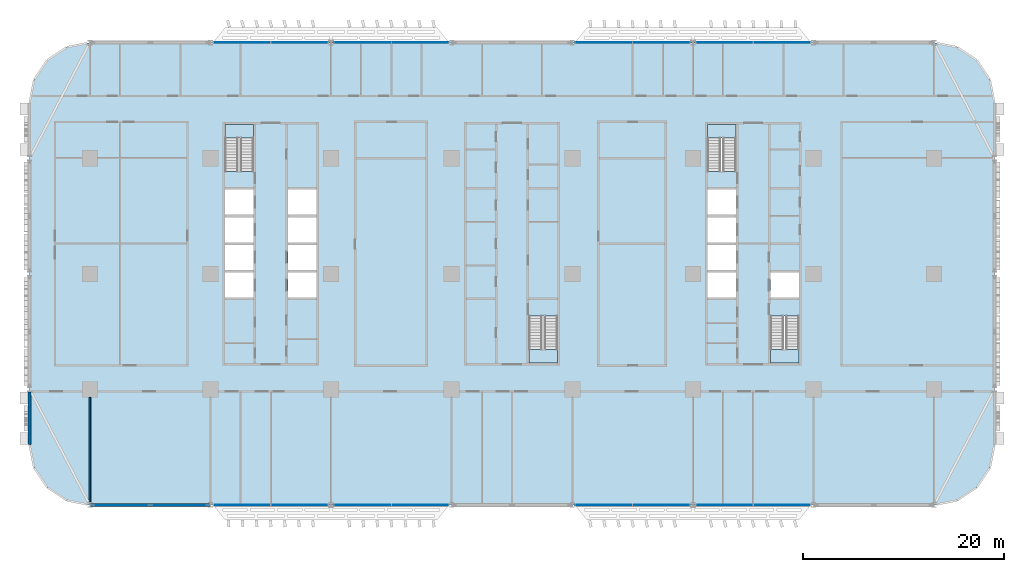
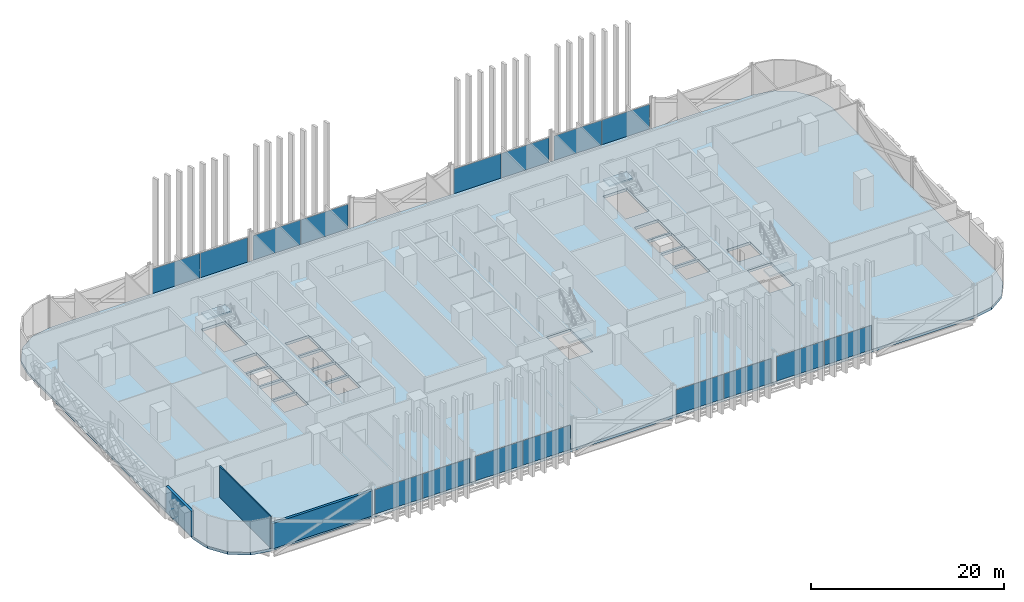
# One storey, part 9 of 29: 16 plates, 5 slabs, 3 walls, 12 elements without a shape of their own.
"""IFC4 building model written with IfcOpenShell, lengths in metres."""

from ifc_helpers import new_model, si_unit, direction, frame, frame_2d, origin, origin_2d, place, context, subcontext, project, spatial, polyline, rectangle, outline, extrude, material, layer, layer_set, type_object, element, aggregate, save


model = new_model("IFC4")

# Units and contexts
model_context = context("Model", 3, precision=1e-05, world=origin(), true_north=direction((0.0, 1.0)))
body_context = subcontext(model_context, "Body", "Model", "MODEL_VIEW")
ifc_project = project(units=[si_unit("LENGTHUNIT", "METRE"), si_unit("AREAUNIT", "SQUARE_METRE"), si_unit("VOLUMEUNIT", "CUBIC_METRE"), si_unit("PLANEANGLEUNIT", "RADIAN"), si_unit("MASSUNIT", "GRAM", prefix="KILO")], contexts=[model_context])

# Site, building, storey
site_placement = place(None, origin())
site = spatial("IfcSite", under=ifc_project, at=site_placement, CompositionType="ELEMENT")
building_placement = place(site_placement, origin())
building = spatial("IfcBuilding", under=site, at=building_placement, Name="Mahtab Terrace Research Tower", CompositionType="ELEMENT")
storey_placement = place(building_placement, frame((0.0, 0.0, 24.39990234375)))
storey = spatial("IfcBuildingStorey", under=building, at=storey_placement, Name="L05", CompositionType="ELEMENT", Elevation=24.39990234375)

# Stair, slab
ifc_material_1 = material(Name="Exit stair half-turn")
stair_type = type_object("IfcStairType", Name="Exit stair half-turn", PredefinedType="HALF_TURN_STAIR", material=ifc_material_1)
stair_1_placement = place(storey_placement, origin())
stair_1 = element("IfcStair", 1, at=stair_1_placement, inside=storey, type_object=stair_type, Name="L05 Protected exit stair ST1", PredefinedType="HALF_TURN_STAIR")
ifc_material_2 = material(Name="Concrete C40/50", Category="concrete")
ifc_layer_1 = layer(ifc_material_2, 0.199951171875)
ifc_layer_set_1 = layer_set([ifc_layer_1], Name="Exit stair landing 200")
slab_type_1 = type_object("IfcSlabType", Name="Exit stair landing 200", PredefinedType="LANDING", material=ifc_layer_set_1)
slab_1_placement = place(storey_placement, frame((0.0, 0.0, 1.9501953125)))
slab_1 = element("IfcSlab", 2, at=slab_1_placement, type_object=slab_type_1, Name="ST1 landing 1", PredefinedType="LANDING", context=body_context, shape_type="SweptSolid", body=[
    extrude(outline(polyline([(-25.699951171875, 13.534912109375), (-25.699951171875, 14.875), (-28.550048828125, 14.875), (-28.550048828125, 13.534912109375), (-25.699951171875, 13.534912109375)])), origin(), (0.0, 0.0, 1.0), 0.199951171875),
])
aggregate(stair_1, [slab_1])

stair_2_placement = place(storey_placement, origin())
stair_2 = element("IfcStair", 3, at=stair_2_placement, inside=storey, type_object=stair_type, Name="L05 Protected exit stair ST2", PredefinedType="HALF_TURN_STAIR")
slab_2_placement = place(storey_placement, frame((0.0, 0.0, 1.9501953125)))
slab_2 = element("IfcSlab", 4, at=slab_2_placement, type_object=slab_type_1, Name="ST2 landing 1", PredefinedType="LANDING", context=body_context, shape_type="SweptSolid", body=[
    extrude(outline(polyline([(1.699951171875, -7.534912109375), (1.699951171875, -8.875), (4.550048828125, -8.875), (4.550048828125, -7.534912109375), (1.699951171875, -7.534912109375)])), origin(), (0.0, 0.0, 1.0), 0.199951171875),
])
aggregate(stair_2, [slab_2])

stair_3_placement = place(storey_placement, origin())
stair_3 = element("IfcStair", 5, at=stair_3_placement, inside=storey, type_object=stair_type, Name="L05 Protected exit stair ST3", PredefinedType="HALF_TURN_STAIR")
slab_3_placement = place(storey_placement, frame((0.0, 0.0, 1.9501953125)))
slab_3 = element("IfcSlab", 6, at=slab_3_placement, type_object=slab_type_1, Name="ST3 landing 1", PredefinedType="LANDING", context=body_context, shape_type="SweptSolid", body=[
    extrude(outline(polyline([(22.300048828125, 13.534912109375), (22.300048828125, 14.875), (19.449951171875, 14.875), (19.449951171875, 13.534912109375), (22.300048828125, 13.534912109375)])), origin(), (0.0, 0.0, 1.0), 0.199951171875),
])
aggregate(stair_3, [slab_3])

stair_4_placement = place(storey_placement, origin())
stair_4 = element("IfcStair", 7, at=stair_4_placement, inside=storey, type_object=stair_type, Name="L05 Protected exit stair ST4", PredefinedType="HALF_TURN_STAIR")
slab_4_placement = place(storey_placement, frame((0.0, 0.0, 1.9501953125)))
slab_4 = element("IfcSlab", 8, at=slab_4_placement, type_object=slab_type_1, Name="ST4 landing 1", PredefinedType="LANDING", context=body_context, shape_type="SweptSolid", body=[
    extrude(outline(polyline([(25.699951171875, -7.534912109375), (25.699951171875, -8.875), (28.550048828125, -8.875), (28.550048828125, -7.534912109375), (25.699951171875, -7.534912109375)])), origin(), (0.0, 0.0, 1.0), 0.199951171875),
])
aggregate(stair_4, [slab_4])

# Curtain wall, plates
ifc_material_3 = material(Name="Laboratory ribbon curtain wall")
curtain_wall_type = type_object("IfcCurtainWallType", Name="Laboratory ribbon curtain wall", PredefinedType="NOTDEFINED", material=ifc_material_3)
curtain_wall_1_placement = place(storey_placement, origin())
curtain_wall_1 = element("IfcCurtainWall", 9, at=curtain_wall_1_placement, inside=storey, type_object=curtain_wall_type, Name="EN.L05.3.4", PredefinedType="NOTDEFINED")
ifc_material_4 = material(Name="Dark glazing", Category="glass")
ifc_layer_2 = layer(ifc_material_4, 0.031982421875)
ifc_layer_set_2 = layer_set([ifc_layer_2], Name="Laboratory ribbon curtain wall glazing panel")
plate_type = type_object("IfcPlateType", Name="Laboratory ribbon curtain wall glazing panel", PredefinedType="CURTAIN_PANEL", material=ifc_layer_set_2)
plate_1_placement = place(storey_placement, frame((26.859130859375, 23.0, 0.000244140625), z_axis=(0.0, 0.0, 1.0), x_axis=(-1.0, 0.0, 0.0)))
plate_1 = element("IfcPlate", 10, at=plate_1_placement, type_object=plate_type, Name="CWL-1 panel 1", PredefinedType="CURTAIN_PANEL", context=body_context, shape_type="SweptSolid", body=[
    extrude(rectangle(XDim=5.653564453125, YDim=0.031982421875, at=origin_2d()), origin(), (0.0, 0.0, 1.0), 3.10302734375),
])
plate_2_placement = place(storey_placement, frame((21.140869140625, 23.0, 0.000244140625), z_axis=(0.0, 0.0, 1.0), x_axis=(-1.0, 0.0, 0.0)))
plate_2 = element("IfcPlate", 11, at=plate_2_placement, type_object=plate_type, Name="CWL-1 panel 2", PredefinedType="CURTAIN_PANEL", context=body_context, shape_type="SweptSolid", body=[
    extrude(rectangle(XDim=5.653564453125, YDim=0.031982421875, at=origin_2d()), origin(), (0.0, 0.0, 1.0), 3.10302734375),
])
aggregate(curtain_wall_1, [plate_1, plate_2])

curtain_wall_2_placement = place(storey_placement, origin())
curtain_wall_2 = element("IfcCurtainWall", 12, at=curtain_wall_2_placement, inside=storey, type_object=curtain_wall_type, Name="EN.L05.3.5", PredefinedType="NOTDEFINED")
plate_3_placement = place(storey_placement, frame((14.859130859375, 23.0, 0.000244140625), z_axis=(0.0, 0.0, 1.0), x_axis=(-1.0, 0.0, 0.0)))
plate_3 = element("IfcPlate", 13, at=plate_3_placement, type_object=plate_type, Name="CWL-1 panel 1", PredefinedType="CURTAIN_PANEL", context=body_context, shape_type="SweptSolid", body=[
    extrude(rectangle(XDim=5.653564453125, YDim=0.031982421875, at=origin_2d()), origin(), (0.0, 0.0, 1.0), 3.10302734375),
])
plate_4_placement = place(storey_placement, frame((9.140869140625, 23.0, 0.000244140625), z_axis=(0.0, 0.0, 1.0), x_axis=(-1.0, 0.0, 0.0)))
plate_4 = element("IfcPlate", 14, at=plate_4_placement, type_object=plate_type, Name="CWL-1 panel 2", PredefinedType="CURTAIN_PANEL", context=body_context, shape_type="SweptSolid", body=[
    extrude(rectangle(XDim=5.653564453125, YDim=0.031982421875, at=origin_2d()), origin(), (0.0, 0.0, 1.0), 3.10302734375),
])
aggregate(curtain_wall_2, [plate_3, plate_4])

curtain_wall_3_placement = place(storey_placement, origin())
curtain_wall_3 = element("IfcCurtainWall", 15, at=curtain_wall_3_placement, inside=storey, type_object=curtain_wall_type, Name="EN.L05.3.7", PredefinedType="NOTDEFINED")
plate_5_placement = place(storey_placement, frame((-9.140869140625, 23.0, 0.000244140625), z_axis=(0.0, 0.0, 1.0), x_axis=(-1.0, 0.0, 0.0)))
plate_5 = element("IfcPlate", 16, at=plate_5_placement, type_object=plate_type, Name="CWL-1 panel 1", PredefinedType="CURTAIN_PANEL", context=body_context, shape_type="SweptSolid", body=[
    extrude(rectangle(XDim=5.653564453125, YDim=0.031982421875, at=origin_2d()), origin(), (0.0, 0.0, 1.0), 3.10302734375),
])
plate_6_placement = place(storey_placement, frame((-14.859130859375, 23.0, 0.000244140625), z_axis=(0.0, 0.0, 1.0), x_axis=(-1.0, 0.0, 0.0)))
plate_6 = element("IfcPlate", 17, at=plate_6_placement, type_object=plate_type, Name="CWL-1 panel 2", PredefinedType="CURTAIN_PANEL", context=body_context, shape_type="SweptSolid", body=[
    extrude(rectangle(XDim=5.653564453125, YDim=0.031982421875, at=origin_2d()), origin(), (0.0, 0.0, 1.0), 3.10302734375),
])
aggregate(curtain_wall_3, [plate_5, plate_6])

curtain_wall_4_placement = place(storey_placement, origin())
curtain_wall_4 = element("IfcCurtainWall", 18, at=curtain_wall_4_placement, inside=storey, type_object=curtain_wall_type, Name="EN.L05.3.8", PredefinedType="NOTDEFINED")
plate_7_placement = place(storey_placement, frame((-21.140869140625, 23.0, 0.000244140625), z_axis=(0.0, 0.0, 1.0), x_axis=(-1.0, 0.0, 0.0)))
plate_7 = element("IfcPlate", 19, at=plate_7_placement, type_object=plate_type, Name="CWL-1 panel 1", PredefinedType="CURTAIN_PANEL", context=body_context, shape_type="SweptSolid", body=[
    extrude(rectangle(XDim=5.653564453125, YDim=0.031982421875, at=origin_2d()), origin(), (0.0, 0.0, 1.0), 3.10302734375),
])
plate_8_placement = place(storey_placement, frame((-26.859130859375, 23.0, 0.000244140625), z_axis=(0.0, 0.0, 1.0), x_axis=(-1.0, 0.0, 0.0)))
plate_8 = element("IfcPlate", 20, at=plate_8_placement, type_object=plate_type, Name="CWL-1 panel 2", PredefinedType="CURTAIN_PANEL", context=body_context, shape_type="SweptSolid", body=[
    extrude(rectangle(XDim=5.653564453125, YDim=0.031982421875, at=origin_2d()), origin(), (0.0, 0.0, 1.0), 3.10302734375),
])
aggregate(curtain_wall_4, [plate_7, plate_8])

curtain_wall_5_placement = place(storey_placement, origin())
curtain_wall_5 = element("IfcCurtainWall", 21, at=curtain_wall_5_placement, inside=storey, type_object=curtain_wall_type, Name="EN.L05.13.23", PredefinedType="NOTDEFINED")
plate_9_placement = place(storey_placement, frame((-26.859130859375, -23.0, 0.000244140625), z_axis=(0.0, 0.0, 1.0), x_axis=(1.0, 0.0, 0.0)))
plate_9 = element("IfcPlate", 22, at=plate_9_placement, type_object=plate_type, Name="CWL-1 panel 1", PredefinedType="CURTAIN_PANEL", context=body_context, shape_type="SweptSolid", body=[
    extrude(rectangle(XDim=5.653564453125, YDim=0.031982421875, at=origin_2d()), origin(), (0.0, 0.0, 1.0), 3.10302734375),
])
plate_10_placement = place(storey_placement, frame((-21.140869140625, -23.0, 0.000244140625), z_axis=(0.0, 0.0, 1.0), x_axis=(1.0, 0.0, 0.0)))
plate_10 = element("IfcPlate", 23, at=plate_10_placement, type_object=plate_type, Name="CWL-1 panel 2", PredefinedType="CURTAIN_PANEL", context=body_context, shape_type="SweptSolid", body=[
    extrude(rectangle(XDim=5.653564453125, YDim=0.031982421875, at=origin_2d()), origin(), (0.0, 0.0, 1.0), 3.10302734375),
])
aggregate(curtain_wall_5, [plate_9, plate_10])

curtain_wall_6_placement = place(storey_placement, origin())
curtain_wall_6 = element("IfcCurtainWall", 24, at=curtain_wall_6_placement, inside=storey, type_object=curtain_wall_type, Name="EN.L05.13.24", PredefinedType="NOTDEFINED")
plate_11_placement = place(storey_placement, frame((-14.859130859375, -23.0, 0.000244140625), z_axis=(0.0, 0.0, 1.0), x_axis=(1.0, 0.0, 0.0)))
plate_11 = element("IfcPlate", 25, at=plate_11_placement, type_object=plate_type, Name="CWL-1 panel 1", PredefinedType="CURTAIN_PANEL", context=body_context, shape_type="SweptSolid", body=[
    extrude(rectangle(XDim=5.653564453125, YDim=0.031982421875, at=origin_2d()), origin(), (0.0, 0.0, 1.0), 3.10302734375),
])
plate_12_placement = place(storey_placement, frame((-9.140869140625, -23.0, 0.000244140625), z_axis=(0.0, 0.0, 1.0), x_axis=(1.0, 0.0, 0.0)))
plate_12 = element("IfcPlate", 26, at=plate_12_placement, type_object=plate_type, Name="CWL-1 panel 2", PredefinedType="CURTAIN_PANEL", context=body_context, shape_type="SweptSolid", body=[
    extrude(rectangle(XDim=5.653564453125, YDim=0.031982421875, at=origin_2d()), origin(), (0.0, 0.0, 1.0), 3.10302734375),
])
aggregate(curtain_wall_6, [plate_11, plate_12])

curtain_wall_7_placement = place(storey_placement, origin())
curtain_wall_7 = element("IfcCurtainWall", 27, at=curtain_wall_7_placement, inside=storey, type_object=curtain_wall_type, Name="EN.L05.13.26", PredefinedType="NOTDEFINED")
plate_13_placement = place(storey_placement, frame((9.140869140625, -23.0, 0.000244140625), z_axis=(0.0, 0.0, 1.0), x_axis=(1.0, 0.0, 0.0)))
plate_13 = element("IfcPlate", 28, at=plate_13_placement, type_object=plate_type, Name="CWL-1 panel 1", PredefinedType="CURTAIN_PANEL", context=body_context, shape_type="SweptSolid", body=[
    extrude(rectangle(XDim=5.653564453125, YDim=0.031982421875, at=origin_2d()), origin(), (0.0, 0.0, 1.0), 3.10302734375),
])
plate_14_placement = place(storey_placement, frame((14.859130859375, -23.0, 0.000244140625), z_axis=(0.0, 0.0, 1.0), x_axis=(1.0, 0.0, 0.0)))
plate_14 = element("IfcPlate", 29, at=plate_14_placement, type_object=plate_type, Name="CWL-1 panel 2", PredefinedType="CURTAIN_PANEL", context=body_context, shape_type="SweptSolid", body=[
    extrude(rectangle(XDim=5.653564453125, YDim=0.031982421875, at=origin_2d()), origin(), (0.0, 0.0, 1.0), 3.10302734375),
])
aggregate(curtain_wall_7, [plate_13, plate_14])

curtain_wall_8_placement = place(storey_placement, origin())
curtain_wall_8 = element("IfcCurtainWall", 30, at=curtain_wall_8_placement, inside=storey, type_object=curtain_wall_type, Name="EN.L05.13.27", PredefinedType="NOTDEFINED")
plate_15_placement = place(storey_placement, frame((21.140869140625, -23.0, 0.000244140625), z_axis=(0.0, 0.0, 1.0), x_axis=(1.0, 0.0, 0.0)))
plate_15 = element("IfcPlate", 31, at=plate_15_placement, type_object=plate_type, Name="CWL-1 panel 1", PredefinedType="CURTAIN_PANEL", context=body_context, shape_type="SweptSolid", body=[
    extrude(rectangle(XDim=5.653564453125, YDim=0.031982421875, at=origin_2d()), origin(), (0.0, 0.0, 1.0), 3.10302734375),
])
plate_16_placement = place(storey_placement, frame((26.859130859375, -23.0, 0.000244140625), z_axis=(0.0, 0.0, 1.0), x_axis=(1.0, 0.0, 0.0)))
plate_16 = element("IfcPlate", 32, at=plate_16_placement, type_object=plate_type, Name="CWL-1 panel 2", PredefinedType="CURTAIN_PANEL", context=body_context, shape_type="SweptSolid", body=[
    extrude(rectangle(XDim=5.653564453125, YDim=0.031982421875, at=origin_2d()), origin(), (0.0, 0.0, 1.0), 3.10302734375),
])
aggregate(curtain_wall_8, [plate_15, plate_16])

# Slab
ifc_layer_3 = layer(ifc_material_2, 0.340087890625)
ifc_layer_set_3 = layer_set([ifc_layer_3], Name="PT flat slab 340")
slab_type_2 = type_object("IfcSlabType", Name="PT flat slab 340", PredefinedType="FLOOR", material=ifc_layer_set_3)
slab_5_placement = place(storey_placement, frame((0.0, 0.0, -0.33984375)))
element("IfcSlab", 33, at=slab_5_placement, inside=storey, type_object=slab_type_2, Name="Floor slab L05", PredefinedType="FLOOR", context=body_context, shape_type="SweptSolid", body=[
    extrude(outline(polyline([(47.54296875, 19.2958984375), (46.242919921875, 21.242919921875), (44.2958984375, 22.54296875), (42.0, 23.0), (-42.0, 23.0), (-44.2958984375, 22.54296875), (-46.242919921875, 21.242919921875), (-47.54296875, 19.2958984375), (-48.0, 17.0), (-48.0, -17.0), (-47.54296875, -19.2958984375), (-46.242919921875, -21.242919921875), (-44.2958984375, -22.54296875), (-42.0, -23.0), (42.0, -23.0), (44.2958984375, -22.54296875), (46.242919921875, -21.242919921875), (47.54296875, -19.2958984375), (48.0, -17.0), (48.0, 17.0), (47.54296875, 19.2958984375)]), holes=[polyline([(-28.550048828125, -2.375), (-28.550048828125, 0.125), (-25.699951171875, 0.125), (-25.699951171875, -2.375), (-28.550048828125, -2.375)]), polyline([(-22.300048828125, -2.375), (-22.300048828125, 0.125), (-19.449951171875, 0.125), (-19.449951171875, -2.375), (-22.300048828125, -2.375)]), polyline([(-28.550048828125, 0.375), (-28.550048828125, 2.875), (-25.699951171875, 2.875), (-25.699951171875, 0.375), (-28.550048828125, 0.375)]), polyline([(-22.300048828125, 0.375), (-22.300048828125, 2.875), (-19.449951171875, 2.875), (-19.449951171875, 0.375), (-22.300048828125, 0.375)]), polyline([(-28.550048828125, 3.125), (-28.550048828125, 5.625), (-25.699951171875, 5.625), (-25.699951171875, 3.125), (-28.550048828125, 3.125)]), polyline([(-22.300048828125, 3.125), (-22.300048828125, 5.625), (-19.449951171875, 5.625), (-19.449951171875, 3.125), (-22.300048828125, 3.125)]), polyline([(-28.550048828125, 5.875), (-28.550048828125, 8.375), (-25.699951171875, 8.375), (-25.699951171875, 5.875), (-28.550048828125, 5.875)]), polyline([(-22.300048828125, 5.875), (-22.300048828125, 8.375), (-19.449951171875, 8.375), (-19.449951171875, 5.875), (-22.300048828125, 5.875)]), polyline([(-28.550048828125, 10.177001953125), (-28.550048828125, 14.875), (-25.699951171875, 14.875), (-25.699951171875, 10.177001953125), (-28.550048828125, 10.177001953125)]), polyline([(1.699951171875, -8.875), (1.699951171875, -4.177001953125), (4.550048828125, -4.177001953125), (4.550048828125, -8.875), (1.699951171875, -8.875)]), polyline([(25.699951171875, -8.875), (25.699951171875, -4.177001953125), (28.550048828125, -4.177001953125), (28.550048828125, -8.875), (25.699951171875, -8.875)]), polyline([(19.449951171875, -2.375), (19.449951171875, 0.125), (22.300048828125, 0.125), (22.300048828125, -2.375), (19.449951171875, -2.375)]), polyline([(25.699951171875, -2.375), (25.699951171875, 0.125), (28.550048828125, 0.125), (28.550048828125, -2.375), (25.699951171875, -2.375)]), polyline([(19.449951171875, 0.375), (19.449951171875, 2.875), (22.300048828125, 2.875), (22.300048828125, 0.375), (19.449951171875, 0.375)]), polyline([(19.449951171875, 3.125), (19.449951171875, 5.625), (22.300048828125, 5.625), (22.300048828125, 3.125), (19.449951171875, 3.125)]), polyline([(19.449951171875, 8.375), (22.300048828125, 8.375), (22.300048828125, 5.875), (19.449951171875, 5.875), (19.449951171875, 8.375)]), polyline([(19.449951171875, 14.875), (22.300048828125, 14.875), (22.300048828125, 10.177001953125), (19.449951171875, 10.177001953125), (19.449951171875, 14.875)])]), origin(), (0.0, 0.0, 1.0), 0.33984375),
])

# Walls
ifc_material_5 = material(Name="Black aluminium cladding panel", Category="aluminium")
ifc_layer_4 = layer(ifc_material_5, 0.300048828125)
ifc_layer_set_4 = layer_set([ifc_layer_4], Name="Opaque facade wall 300")
wall_type_1 = type_object("IfcWallType", Name="Opaque facade wall 300", PredefinedType="NOTDEFINED", material=ifc_layer_set_4)
wall_1_placement = place(storey_placement, frame((-48.0, -11.7490234375, 0.0), z_axis=(0.0, 0.0, 1.0), x_axis=(0.0, -1.0, 0.0)))
element("IfcWall", 34, at=wall_1_placement, inside=storey, type_object=wall_type_1, Name="Opaque facade wall L05 W17", PredefinedType="NOTDEFINED", context=body_context, shape_type="SweptSolid", body=[
    extrude(rectangle(XDim=5.2509765625, YDim=0.300048828125, at=frame_2d((2.62548828125, 0.0))), origin(), (0.0, 0.0, 1.0), 3.203125),
])
wall_2_placement = place(storey_placement, frame((-41.97216796875, -23.0, 0.0), z_axis=(0.0, 0.0, 1.0), x_axis=(1.0, 0.0, 0.0)))
element("IfcWall", 35, at=wall_2_placement, inside=storey, type_object=wall_type_1, Name="Opaque facade wall L05 S22", PredefinedType="NOTDEFINED", context=body_context, shape_type="SweptSolid", body=[
    extrude(rectangle(XDim=11.9443359375, YDim=0.300048828125, at=frame_2d((5.97216796875, 0.0))), origin(), (0.0, 0.0, 1.0), 3.203125),
])
ifc_material_6 = material(Name="Gypsum board partition on steel studs", Category="steel")
ifc_layer_5 = layer(ifc_material_6, 0.14990234375)
ifc_layer_set_5 = layer_set([ifc_layer_5], Name="WALL PARTITION 150")
wall_type_2 = type_object("IfcWallType", Name="WALL PARTITION 150", PredefinedType="PARTITIONING", material=ifc_layer_set_5)
wall_3_placement = place(storey_placement, frame((-42.0, -22.84716796875, 0.0), z_axis=(0.0, 0.0, 1.0), x_axis=(0.0, 1.0, 0.0)))
element("IfcWall", 36, at=wall_3_placement, inside=storey, type_object=wall_type_2, Name="L05-W028", PredefinedType="PARTITIONING", context=body_context, shape_type="SweptSolid", body=[
    extrude(rectangle(XDim=10.547119140625, YDim=0.14990234375, at=frame_2d((5.2734375, 0.0))), origin(), (0.0, 0.0, 1.0), 3.960205078125),
])

save(model, "model.ifc")
